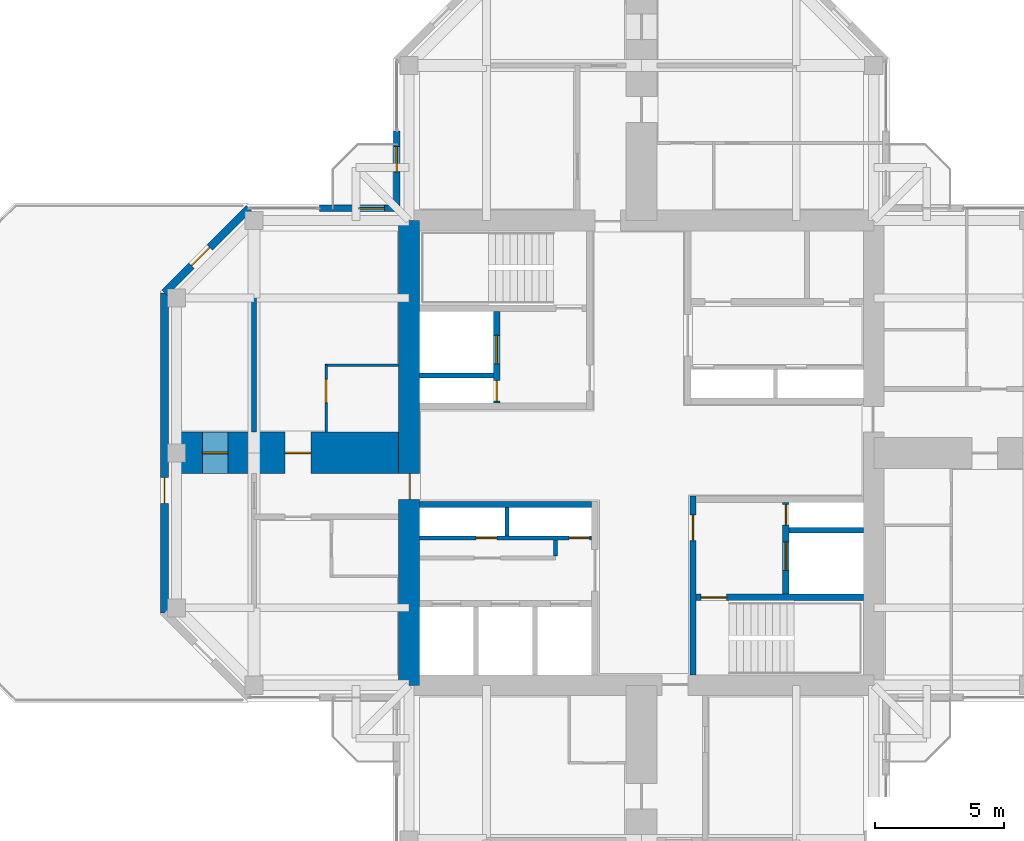
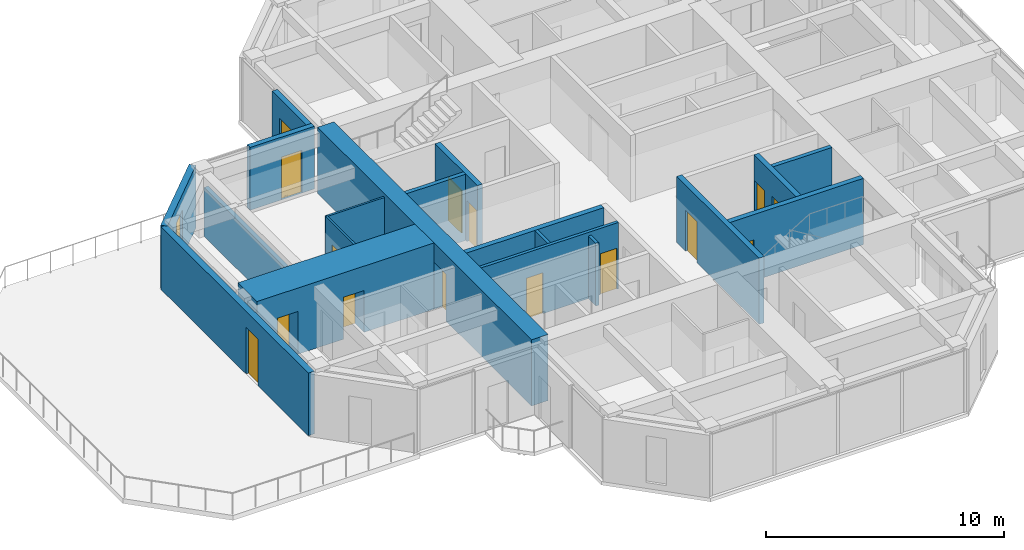
# One storey, part 9 of 14: 19 walls, 16 doors, 16 openings.
"""IFC4 building model written with IfcOpenShell, lengths in metres."""

from ifc_helpers import new_model, si_unit, direction, frame, frame_2d, origin, place, context, subcontext, project, spatial, rectangle, hollow_rectangle, extrude, material, layer, layer_set, constituent, constituent_set, type_object, element, fill, save


model = new_model("IFC4")

# Units and contexts
model_context = context("Model", 3, precision=1e-05, world=origin(), true_north=direction((0.0, 1.0)))
body_context = subcontext(model_context, "Body", "Model", "MODEL_VIEW")
ifc_project = project(units=[si_unit("LENGTHUNIT", "METRE"), si_unit("AREAUNIT", "SQUARE_METRE"), si_unit("VOLUMEUNIT", "CUBIC_METRE"), si_unit("PLANEANGLEUNIT", "RADIAN"), si_unit("MASSUNIT", "GRAM", prefix="KILO")], contexts=[model_context])

# Site, building, storey
site_placement = place(None, origin())
site = spatial("IfcSite", under=ifc_project, at=site_placement, CompositionType="ELEMENT")
building_placement = place(site_placement, origin())
building = spatial("IfcBuilding", under=site, at=building_placement, Name="Torre Cruceta", CompositionType="ELEMENT")
storey_placement = place(building_placement, frame((0.0, 0.0, 257.699951171875)))
storey = spatial("IfcBuildingStorey", under=building, at=storey_placement, Name="L66", CompositionType="ELEMENT", Elevation=257.699951171875)

# Wall
ifc_material_1 = material(Name="Water-resistant plasterboard on steel studs", Category="steel")
ifc_layer_1 = layer(ifc_material_1, 0.10009765625)
ifc_layer_set_1 = layer_set([ifc_layer_1], Name="Water-resistant plasterboard on steel studs")
wall_type_1 = type_object("IfcWallType", Name="BATHROOM WALL 100", PredefinedType="PARTITIONING", material=ifc_layer_set_1)
wall_1_placement = place(storey_placement, frame((-9.39990234375, 3.39990234375, 0.0), z_axis=(0.0, 0.0, 1.0), x_axis=(-1.0, 0.0, 0.0)))
element("IfcWall", 1, at=wall_1_placement, inside=storey, type_object=wall_type_1, Name="PT4 L66-W-U1RBB", PredefinedType="PARTITIONING", context=body_context, shape_type="SweptSolid", body=[
    extrude(rectangle(XDim=2.85009765625, YDim=0.10009765625, at=frame_2d((1.425048828125, 0.0))), origin(), (0.0, 0.0, 1.0), 3.219970703125),
])

# Wall, opening, door
wall_2_placement = place(storey_placement, frame((-12.199951171875, 3.39990234375, 0.0), z_axis=(0.0, 0.0, 1.0), x_axis=(0.0, -1.0, 0.0)))
wall_2 = element("IfcWall", 2, at=wall_2_placement, inside=storey, type_object=wall_type_1, Name="PT4 L66-W-U1RBS", PredefinedType="PARTITIONING", context=body_context, shape_type="SweptSolid", body=[
    extrude(rectangle(XDim=2.599853515625, YDim=0.10009765625, at=frame_2d((1.2998046875, 0.0))), origin(), (0.0, 0.0, 1.0), 3.219970703125),
])
opening_1_placement = place(wall_2_placement, frame((0.550048828125, 0.0, 0.0)))
opening_1 = element("IfcOpeningElement", 3, at=opening_1_placement, cuts=wall_2, Name="Opening D7", PredefinedType="OPENING", context=body_context, shape_type="SweptSolid", body=[
    extrude(rectangle(XDim=0.89990234375, YDim=2.10009765625, at=frame_2d((0.449951171875, 1.050048828125))), frame((0.0, 0.06005859375, 0.0), z_axis=(0.0, -1.0, 0.0), x_axis=(1.0, 0.0, 0.0)), (0.0, 0.0, 1.0), 0.1201171875),
])
ifc_material_2 = material(Name="Timber door", Category="wood")
door_type_1 = type_object("IfcDoorType", Name="BATHROOM DOOR 900X2100", OperationType="SINGLE_SWING_LEFT", PredefinedType="DOOR", material=ifc_material_2)
door_1_placement = place(opening_1_placement, origin())
door_1 = element("IfcDoor", 4, at=door_1_placement, inside=storey, type_object=door_type_1, Name="D7 L66-W-U1RBS-D1", OperationType="SINGLE_SWING_LEFT", OverallHeight=2.10009765625, OverallWidth=0.89990234375, PredefinedType="DOOR", context=body_context, shape_type="SweptSolid", body=[
    extrude(rectangle(XDim=0.89990234375, YDim=2.10009765625, at=frame_2d((0.449951171875, 1.050048828125))), frame((0.0, 0.02490234375, 0.0), z_axis=(0.0, -1.0, 0.0), x_axis=(1.0, 0.0, 0.0)), (0.0, 0.0, 1.0), 0.050048828125),
])
fill(opening_1, door_1)

# Wall, openings, doors
ifc_material_3 = material(Name="Concrete G60 (fck 60 MPa)", Category="concrete")
ifc_layer_2 = layer(ifc_material_3, 0.25)
ifc_layer_set_2 = layer_set([ifc_layer_2], Name="Concrete G60 (fck 60 MPa)")
wall_type_2 = type_object("IfcWallType", Name="CORE INNER WALL 250 G60", PredefinedType="SHEAR", material=ifc_layer_set_2)
wall_3_placement = place(storey_placement, frame((-5.60009765625, 1.925048828125, 0.0), z_axis=(0.0, 0.0, 1.0), x_axis=(0.0, 1.0, 0.0)))
wall_3 = element("IfcWall", 5, at=wall_3_placement, inside=storey, type_object=wall_type_2, Name="CW4 L66 NW-FU", PredefinedType="SHEAR", context=body_context, shape_type="SweptSolid", body=[
    extrude(rectangle(XDim=3.550048828125, YDim=0.25, at=frame_2d((1.77490234375, 0.0))), origin(), (0.0, 0.0, 1.0), 3.400146484375),
])
opening_2_placement = place(wall_3_placement, frame((1.52490234375, 0.0, 0.0)))
opening_2 = element("IfcOpeningElement", 6, at=opening_2_placement, cuts=wall_3, Name="Opening LD1", PredefinedType="OPENING", context=body_context, shape_type="SweptSolid", body=[
    extrude(rectangle(XDim=1.10009765625, YDim=2.199951171875, at=frame_2d((0.550048828125, 1.10009765625))), frame((0.0, 0.135009765625, 0.0), z_axis=(0.0, -1.0, 0.0), x_axis=(1.0, 0.0, 0.0)), (0.0, 0.0, 1.0), 0.27001953125),
])
opening_3_placement = place(wall_3_placement, frame((0.074951171875, 0.0, 0.0)))
opening_3 = element("IfcOpeningElement", 7, at=opening_3_placement, cuts=wall_3, Name="Opening D5", PredefinedType="OPENING", context=body_context, shape_type="SweptSolid", body=[
    extrude(rectangle(XDim=0.800048828125, YDim=2.10009765625, at=frame_2d((0.39990234375, 1.050048828125))), frame((0.0, 0.135009765625, 0.0), z_axis=(0.0, -1.0, 0.0), x_axis=(1.0, 0.0, 0.0)), (0.0, 0.0, 1.0), 0.27001953125),
])
ifc_material_4 = material(Name="Stainless steel 1.4401", Category="steel")
door_type_2 = type_object("IfcDoorType", Name="LIFT LANDING DOOR 1100X2200", OperationType="DOUBLE_DOOR_SLIDING", PredefinedType="DOOR", material=ifc_material_4)
door_2_placement = place(opening_2_placement, origin())
door_2 = element("IfcDoor", 8, at=door_2_placement, inside=storey, type_object=door_type_2, Name="Lift landing door FL1", OperationType="DOUBLE_DOOR_SLIDING", OverallHeight=2.199951171875, OverallWidth=1.10009765625, PredefinedType="DOOR", context=body_context, shape_type="SweptSolid", body=[
    extrude(rectangle(XDim=1.10009765625, YDim=2.199951171875, at=frame_2d((0.550048828125, 1.10009765625))), frame((0.0, 0.02490234375, 0.0), z_axis=(0.0, -1.0, 0.0), x_axis=(1.0, 0.0, 0.0)), (0.0, 0.0, 1.0), 0.050048828125),
])
fill(opening_2, door_2)
ifc_material_5 = material(Name="Steel DX51D", Category="steel")
ifc_constituent_1 = constituent(ifc_material_5, Name="Leaf and frame")
ifc_material_6 = material(Name="Polyester powder coating", Category="paint")
ifc_constituent_2 = constituent(ifc_material_6, Name="Finish")
ifc_constituent_set_1 = constituent_set(constituents=[ifc_constituent_1, ifc_constituent_2], Name="Steel fire door")
door_type_3 = type_object("IfcDoorType", Name="RISER ACCESS DOOR 800X2100", OperationType="SINGLE_SWING_LEFT", PredefinedType="DOOR", material=ifc_constituent_set_1)
door_3_placement = place(opening_3_placement, origin())
door_3 = element("IfcDoor", 9, at=door_3_placement, inside=storey, type_object=door_type_3, Name="D5 L66 NW-RISER", OperationType="SINGLE_SWING_LEFT", OverallHeight=2.10009765625, OverallWidth=0.800048828125, PredefinedType="DOOR", context=body_context, shape_type="SweptSolid", body=[
    extrude(rectangle(XDim=0.800048828125, YDim=2.10009765625, at=frame_2d((0.39990234375, 1.050048828125))), frame((0.0, 0.02490234375, 0.0), z_axis=(0.0, -1.0, 0.0), x_axis=(1.0, 0.0, 0.0)), (0.0, 0.0, 1.0), 0.050048828125),
])
fill(opening_3, door_3)

# Wall
wall_4_placement = place(storey_placement, frame((-1.925048828125, -2.0, 0.0), z_axis=(0.0, 0.0, 1.0), x_axis=(-1.0, 0.0, 0.0)))
element("IfcWall", 10, at=wall_4_placement, inside=storey, type_object=wall_type_2, Name="CW4 L66 SW-CV", PredefinedType="SHEAR", context=body_context, shape_type="SweptSolid", body=[
    extrude(rectangle(XDim=6.675048828125, YDim=0.25, at=frame_2d((3.33740234375, 0.0))), origin(), (0.0, 0.0, 1.0), 3.400146484375),
])

# Wall, opening, door
wall_5_placement = place(storey_placement, frame((2.0, -1.675048828125, 0.0), z_axis=(0.0, 0.0, 1.0), x_axis=(0.0, -1.0, 0.0)))
wall_5 = element("IfcWall", 11, at=wall_5_placement, inside=storey, type_object=wall_type_2, Name="CW4 L66 SE-CU", PredefinedType="SHEAR", context=body_context, shape_type="SweptSolid", body=[
    extrude(rectangle(XDim=6.925048828125, YDim=0.25, at=frame_2d((3.46240234375, 0.0))), origin(), (0.0, 0.0, 1.0), 3.400146484375),
])
opening_4_placement = place(wall_5_placement, frame((0.72509765625, 0.0, 0.0)))
opening_4 = element("IfcOpeningElement", 12, at=opening_4_placement, cuts=wall_5, Name="Opening D3", PredefinedType="OPENING", context=body_context, shape_type="SweptSolid", body=[
    extrude(rectangle(XDim=1.0, YDim=2.10009765625, at=frame_2d((0.5, 1.050048828125))), frame((0.0, 0.135009765625, 0.0), z_axis=(0.0, -1.0, 0.0), x_axis=(1.0, 0.0, 0.0)), (0.0, 0.0, 1.0), 0.27001953125),
])
ifc_material_7 = material(Name="Steel DX51D", Category="steel")
ifc_constituent_3 = constituent(ifc_material_7, Name="Leaf and frame")
ifc_material_8 = material(Name="Polyester powder coating", Category="paint")
ifc_constituent_4 = constituent(ifc_material_8, Name="Finish")
ifc_constituent_set_2 = constituent_set(constituents=[ifc_constituent_3, ifc_constituent_4], Name="Steel fire door")
door_type_4 = type_object("IfcDoorType", Name="FIRE DOOR 1000X2100", OperationType="SINGLE_SWING_LEFT", PredefinedType="DOOR", material=ifc_constituent_set_2)
door_4_placement = place(opening_4_placement, origin())
door_4 = element("IfcDoor", 13, at=door_4_placement, inside=storey, type_object=door_type_4, Name="D3 L66 SE-LOBBY", OperationType="SINGLE_SWING_LEFT", OverallHeight=2.10009765625, OverallWidth=1.0, PredefinedType="DOOR", context=body_context, shape_type="SweptSolid", body=[
    extrude(rectangle(XDim=1.0, YDim=2.10009765625, at=frame_2d((0.5, 1.050048828125))), frame((0.0, 0.02490234375, 0.0), z_axis=(0.0, -1.0, 0.0), x_axis=(1.0, 0.0, 0.0)), (0.0, 0.0, 1.0), 0.050048828125),
])
fill(opening_4, door_4)

wall_6_placement = place(storey_placement, frame((2.125, -5.60009765625, 0.0), z_axis=(0.0, 0.0, 1.0), x_axis=(1.0, 0.0, 0.0)))
wall_6 = element("IfcWall", 14, at=wall_6_placement, inside=storey, type_object=wall_type_2, Name="CW4 L66 SE-SV", PredefinedType="SHEAR", context=body_context, shape_type="SweptSolid", body=[
    extrude(rectangle(XDim=6.47509765625, YDim=0.25, at=frame_2d((3.237548828125, 0.0))), origin(), (0.0, 0.0, 1.0), 3.400146484375),
])
opening_5_placement = place(wall_6_placement, frame((0.175048828125, 0.0, 0.0)))
opening_5 = element("IfcOpeningElement", 15, at=opening_5_placement, cuts=wall_6, Name="Opening D3", PredefinedType="OPENING", context=body_context, shape_type="SweptSolid", body=[
    extrude(rectangle(XDim=1.0, YDim=2.10009765625, at=frame_2d((0.5, 1.050048828125))), frame((0.0, 0.135009765625, 0.0), z_axis=(0.0, -1.0, 0.0), x_axis=(1.0, 0.0, 0.0)), (0.0, 0.0, 1.0), 0.27001953125),
])
door_5_placement = place(opening_5_placement, frame((1.0, 0.0, 0.0), z_axis=(0.0, 0.0, 1.0), x_axis=(-1.0, 0.0, 0.0)))
door_5 = element("IfcDoor", 16, at=door_5_placement, inside=storey, type_object=door_type_4, Name="D3 L66 SE-STAIR", OperationType="SINGLE_SWING_RIGHT", OverallHeight=2.10009765625, OverallWidth=1.0, PredefinedType="DOOR", context=body_context, shape_type="SweptSolid", body=[
    extrude(rectangle(XDim=1.0, YDim=2.10009765625, at=frame_2d((0.5, 1.050048828125))), frame((0.0, 0.025146484375, 0.0), z_axis=(0.0, -1.0, 0.0), x_axis=(1.0, 0.0, 0.0)), (0.0, 0.0, 1.0), 0.050048828125),
])
fill(opening_5, door_5)

# Wall, openings, doors
wall_7_placement = place(storey_placement, frame((5.60009765625, -1.925048828125, 0.0), z_axis=(0.0, 0.0, 1.0), x_axis=(0.0, -1.0, 0.0)))
wall_7 = element("IfcWall", 17, at=wall_7_placement, inside=storey, type_object=wall_type_2, Name="CW4 L66 SE-FU", PredefinedType="SHEAR", context=body_context, shape_type="SweptSolid", body=[
    extrude(rectangle(XDim=3.550048828125, YDim=0.25, at=frame_2d((1.77490234375, 0.0))), origin(), (0.0, 0.0, 1.0), 3.400146484375),
])
opening_6_placement = place(wall_7_placement, frame((1.52490234375, 0.0, 0.0)))
opening_6 = element("IfcOpeningElement", 18, at=opening_6_placement, cuts=wall_7, Name="Opening LD1", PredefinedType="OPENING", context=body_context, shape_type="SweptSolid", body=[
    extrude(rectangle(XDim=1.10009765625, YDim=2.199951171875, at=frame_2d((0.550048828125, 1.10009765625))), frame((0.0, 0.135009765625, 0.0), z_axis=(0.0, -1.0, 0.0), x_axis=(1.0, 0.0, 0.0)), (0.0, 0.0, 1.0), 0.27001953125),
])
opening_7_placement = place(wall_7_placement, frame((0.074951171875, 0.0, 0.0)))
opening_7 = element("IfcOpeningElement", 19, at=opening_7_placement, cuts=wall_7, Name="Opening D5", PredefinedType="OPENING", context=body_context, shape_type="SweptSolid", body=[
    extrude(rectangle(XDim=0.800048828125, YDim=2.10009765625, at=frame_2d((0.39990234375, 1.050048828125))), frame((0.0, 0.135009765625, 0.0), z_axis=(0.0, -1.0, 0.0), x_axis=(1.0, 0.0, 0.0)), (0.0, 0.0, 1.0), 0.27001953125),
])
door_6_placement = place(opening_6_placement, origin())
door_6 = element("IfcDoor", 20, at=door_6_placement, inside=storey, type_object=door_type_2, Name="Lift landing door FL2", OperationType="DOUBLE_DOOR_SLIDING", OverallHeight=2.199951171875, OverallWidth=1.10009765625, PredefinedType="DOOR", context=body_context, shape_type="SweptSolid", body=[
    extrude(rectangle(XDim=1.10009765625, YDim=2.199951171875, at=frame_2d((0.550048828125, 1.10009765625))), frame((0.0, 0.02490234375, 0.0), z_axis=(0.0, -1.0, 0.0), x_axis=(1.0, 0.0, 0.0)), (0.0, 0.0, 1.0), 0.050048828125),
])
fill(opening_6, door_6)
door_7_placement = place(opening_7_placement, origin())
door_7 = element("IfcDoor", 21, at=door_7_placement, inside=storey, type_object=door_type_3, Name="D5 L66 SE-RISER", OperationType="SINGLE_SWING_LEFT", OverallHeight=2.10009765625, OverallWidth=0.800048828125, PredefinedType="DOOR", context=body_context, shape_type="SweptSolid", body=[
    extrude(rectangle(XDim=0.800048828125, YDim=2.10009765625, at=frame_2d((0.39990234375, 1.050048828125))), frame((0.0, 0.02490234375, 0.0), z_axis=(0.0, -1.0, 0.0), x_axis=(1.0, 0.0, 0.0)), (0.0, 0.0, 1.0), 0.050048828125),
])
fill(opening_7, door_7)

# Wall, opening, door
ifc_material_9 = material(Name="Concrete G60 (fck 60 MPa)", Category="concrete")
ifc_layer_3 = layer(ifc_material_9, 0.800048828125)
ifc_layer_set_3 = layer_set([ifc_layer_3], Name="Concrete G60 (fck 60 MPa)")
wall_type_3 = type_object("IfcWallType", Name="CORE WALL 800 G60", PredefinedType="SHEAR", material=ifc_layer_set_3)
wall_8_placement = place(storey_placement, frame((-9.0, 9.0, 0.0), z_axis=(0.0, 0.0, 1.0), x_axis=(0.0, -1.0, 0.0)))
wall_8 = element("IfcWall", 22, at=wall_8_placement, inside=storey, type_object=wall_type_3, Name="CW3 L66 CW-W", PredefinedType="SHEAR", context=body_context, shape_type="SweptSolid", body=[
    extrude(rectangle(XDim=18.0, YDim=0.800048828125, at=frame_2d((9.0, 0.0))), origin(), (0.0, 0.0, 1.0), 3.400146484375),
])
opening_8_placement = place(wall_8_placement, frame((9.800048828125, 0.0, 0.0)))
opening_8 = element("IfcOpeningElement", 23, at=opening_8_placement, cuts=wall_8, Name="Opening D4", PredefinedType="OPENING", context=body_context, shape_type="SweptSolid", body=[
    extrude(rectangle(XDim=1.0, YDim=2.39990234375, at=frame_2d((0.5, 1.199951171875))), frame((0.0, 0.409912109375, 0.0), z_axis=(0.0, -1.0, 0.0), x_axis=(1.0, 0.0, 0.0)), (0.0, 0.0, 1.0), 0.820068359375),
])
ifc_material_10 = material(Name="Steel DX51D", Category="steel")
ifc_constituent_5 = constituent(ifc_material_10, Name="Leaf and frame")
ifc_material_11 = material(Name="Polyester powder coating", Category="paint")
ifc_constituent_6 = constituent(ifc_material_11, Name="Finish")
ifc_constituent_set_3 = constituent_set(constituents=[ifc_constituent_5, ifc_constituent_6], Name="Steel fire door")
door_type_5 = type_object("IfcDoorType", Name="CORE ARM DOOR 1000X2400", OperationType="SINGLE_SWING_RIGHT", PredefinedType="DOOR", material=ifc_constituent_set_3)
door_8_placement = place(opening_8_placement, origin())
door_8 = element("IfcDoor", 24, at=door_8_placement, inside=storey, type_object=door_type_5, Name="D4 L66 CW-W", OperationType="SINGLE_SWING_RIGHT", OverallHeight=2.39990234375, OverallWidth=1.0, PredefinedType="DOOR", context=body_context, shape_type="SweptSolid", body=[
    extrude(rectangle(XDim=1.0, YDim=2.39990234375, at=frame_2d((0.5, 1.199951171875))), frame((0.0, 0.05517578125, 0.0), z_axis=(0.0, -1.0, 0.0), x_axis=(1.0, 0.0, 0.0)), (0.0, 0.0, 1.0), 0.050048828125),
])
fill(opening_8, door_8)

ifc_material_12 = material(Name="Concrete G30 (fck 30 MPa)", Category="concrete")
ifc_layer_4 = layer(ifc_material_12, 0.300048828125)
ifc_layer_set_4 = layer_set([ifc_layer_4], Name="Concrete G30 (fck 30 MPa)")
wall_type_4 = type_object("IfcWallType", Name="EXPOSED CONCRETE FACADE WALL 300", PredefinedType="SOLIDWALL", material=ifc_layer_set_4)
wall_9_placement = place(storey_placement, frame((-15.194580078125, 9.469970703125, 0.0), z_axis=(0.0, 0.0, 1.0), x_axis=(-0.707106781187, -0.707106781187, 0.0)))
wall_9 = element("IfcWall", 25, at=wall_9_placement, inside=storey, type_object=wall_type_4, Name="EW1 facade wall L66 W chamfer 11", PredefinedType="SOLIDWALL", context=body_context, shape_type="SweptSolid", body=[
    extrude(rectangle(XDim=4.632080078125, YDim=0.300048828125, at=frame_2d((2.31591796875, 0.0))), origin(), (0.0, 0.0, 1.0), 3.219970703125),
])
opening_9_placement = place(wall_9_placement, frame((2.14990234375, 0.0, 0.0)))
opening_9 = element("IfcOpeningElement", 26, at=opening_9_placement, cuts=wall_9, Name="Opening D11", PredefinedType="OPENING", context=body_context, shape_type="SweptSolid", body=[
    extrude(rectangle(XDim=1.0, YDim=2.39990234375, at=frame_2d((0.5, 1.199951171875))), frame((0.0, 0.159912109375, 0.0), z_axis=(0.0, -1.0, 0.0), x_axis=(1.0, 0.0, 0.0)), (0.0, 0.0, 1.0), 0.320068359375),
])
ifc_material_13 = material(Name="Aluminium door frame", Category="aluminium")
ifc_constituent_7 = constituent(ifc_material_13, Name="Frame")
ifc_material_14 = material(Name="Laminated safety glass", Category="glass")
ifc_constituent_8 = constituent(ifc_material_14, Name="Glazing")
ifc_constituent_set_4 = constituent_set(constituents=[ifc_constituent_7, ifc_constituent_8], Name="Aluminium glazed door")
door_type_6 = type_object("IfcDoorType", Name="TERRACE DOOR 1000X2400", OperationType="SINGLE_SWING_LEFT", PredefinedType="DOOR", material=ifc_constituent_set_4)
door_9_placement = place(opening_9_placement, origin())
door_9 = element("IfcDoor", 27, at=door_9_placement, inside=storey, type_object=door_type_6, Name="D11 terrace door L66 W", OperationType="SINGLE_SWING_RIGHT", OverallHeight=2.39990234375, OverallWidth=1.0, PredefinedType="DOOR", context=body_context, shape_type="SweptSolid", body=[
    extrude(hollow_rectangle(XDim=1.0, YDim=2.39990234375, WallThickness=0.06005859375, at=frame_2d((0.5, 1.199951171875))), frame((0.0, 0.02490234375, 0.0), z_axis=(0.0, -1.0, 0.0), x_axis=(1.0, 0.0, 0.0)), (0.0, 0.0, 1.0), 0.050048828125),
    extrude(rectangle(XDim=0.87890625, YDim=2.27880859375, at=frame_2d((0.5, 1.199951171875))), frame((0.0, 0.02490234375, 0.0), z_axis=(0.0, -1.0, 0.0), x_axis=(1.0, 0.0, 0.0)), (0.0, 0.0, 1.0), 0.050048828125),
])
fill(opening_9, door_9)

wall_10_placement = place(storey_placement, frame((-18.469970703125, 6.194580078125, 0.0), z_axis=(0.0, 0.0, 1.0), x_axis=(0.0, -1.0, 0.0)))
wall_10 = element("IfcWall", 28, at=wall_10_placement, inside=storey, type_object=wall_type_4, Name="EW1 facade wall L66 W tip 12", PredefinedType="SOLIDWALL", context=body_context, shape_type="SweptSolid", body=[
    extrude(rectangle(XDim=12.38916015625, YDim=0.300048828125, at=frame_2d((6.194580078125, 0.0))), origin(), (0.0, 0.0, 1.0), 3.219970703125),
])
opening_10_placement = place(wall_10_placement, frame((7.14990234375, 0.0, 0.0)))
opening_10 = element("IfcOpeningElement", 29, at=opening_10_placement, cuts=wall_10, Name="Opening D11", PredefinedType="OPENING", context=body_context, shape_type="SweptSolid", body=[
    extrude(rectangle(XDim=1.0, YDim=2.39990234375, at=frame_2d((0.5, 1.199951171875))), frame((0.0, 0.159912109375, 0.0), z_axis=(0.0, -1.0, 0.0), x_axis=(1.0, 0.0, 0.0)), (0.0, 0.0, 1.0), 0.320068359375),
])
door_10_placement = place(opening_10_placement, origin())
door_10 = element("IfcDoor", 30, at=door_10_placement, inside=storey, type_object=door_type_6, Name="D11 terrace door L66 W", OperationType="SINGLE_SWING_RIGHT", OverallHeight=2.39990234375, OverallWidth=1.0, PredefinedType="DOOR", context=body_context, shape_type="SweptSolid", body=[
    extrude(hollow_rectangle(XDim=1.0, YDim=2.39990234375, WallThickness=0.06005859375, at=frame_2d((0.5, 1.199951171875))), frame((0.0, 0.02490234375, 0.0), z_axis=(0.0, -1.0, 0.0), x_axis=(1.0, 0.0, 0.0)), (0.0, 0.0, 1.0), 0.050048828125),
    extrude(rectangle(XDim=0.87890625, YDim=2.27880859375, at=frame_2d((0.5, 1.199951171875))), frame((0.0, 0.02490234375, 0.0), z_axis=(0.0, -1.0, 0.0), x_axis=(1.0, 0.0, 0.0)), (0.0, 0.0, 1.0), 0.050048828125),
])
fill(opening_10, door_10)

# Walls
ifc_material_15 = material(Name="Concrete G35 (fck 35 MPa)", Category="concrete")
ifc_layer_5 = layer(ifc_material_15, 0.199951171875)
ifc_layer_set_5 = layer_set([ifc_layer_5], Name="Concrete G35 (fck 35 MPa)")
wall_type_5 = type_object("IfcWallType", Name="LIFT SHAFT WALL 200", PredefinedType="PARTITIONING", material=ifc_layer_set_5)
for number, where, z_axis, x_axis, name in (
    (31, (-5.72509765625, 3.0, 0.0), (0.0, 0.0, 1.0), (-1.0, 0.0, 0.0), "SW1 L66 NW-FR"),
    (32, (5.72509765625, -3.0, 0.0), (0.0, 0.0, 1.0), (1.0, 0.0, 0.0), "SW1 L66 SE-FR"),
):
    element("IfcWall", number, at=place(storey_placement, frame(where, z_axis=z_axis, x_axis=x_axis)), inside=storey, type_object=wall_type_5, Name=name, PredefinedType="PARTITIONING", context=body_context, shape_type="SweptSolid", body=[
        extrude(rectangle(XDim=2.875, YDim=0.199951171875, at=frame_2d((1.4375, 0.0))), origin(), (0.0, 0.0, 1.0), 3.400146484375),
    ])
ifc_material_16 = material(Name="Plasterboard on steel studs", Category="steel")
ifc_layer_6 = layer(ifc_material_16, 0.14990234375)
ifc_layer_set_6 = layer_set([ifc_layer_6], Name="Plasterboard on steel studs")
wall_type_6 = type_object("IfcWallType", Name="PARTITION 150", PredefinedType="PARTITIONING", material=ifc_layer_set_6)
wall_11_placement = place(storey_placement, frame((-3.324951171875, -3.375, 0.0), z_axis=(0.0, 0.0, 1.0), x_axis=(0.0, -1.0, 0.0)))
element("IfcWall", 33, at=wall_11_placement, inside=storey, type_object=wall_type_6, Name="PT1 L66-CORE-SW-CUPBOARDE", PredefinedType="PARTITIONING", context=body_context, shape_type="SweptSolid", body=[
    extrude(rectangle(XDim=0.625, YDim=0.14990234375, at=frame_2d((0.3125, 0.0))), origin(), (0.0, 0.0, 1.0), 3.219970703125),
])

# Wall, openings, doors
ifc_material_17 = material(Name="Concrete block masonry", Category="masonry")
ifc_layer_7 = layer(ifc_material_17, 0.14990234375)
ifc_layer_set_7 = layer_set([ifc_layer_7], Name="Concrete block masonry")
wall_type_7 = type_object("IfcWallType", Name="RISER WALL 150", PredefinedType="PARTITIONING", material=ifc_layer_set_7)
wall_12_placement = place(storey_placement, frame((-1.925048828125, -3.300048828125, 0.0), z_axis=(0.0, 0.0, 1.0), x_axis=(-1.0, 0.0, 0.0)))
wall_12 = element("IfcWall", 34, at=wall_12_placement, inside=storey, type_object=wall_type_7, Name="SW7 L66 SW-RV", PredefinedType="PARTITIONING", context=body_context, shape_type="SweptSolid", body=[
    extrude(rectangle(XDim=6.675048828125, YDim=0.14990234375, at=frame_2d((3.33740234375, 0.0))), origin(), (0.0, 0.0, 1.0), 3.400146484375),
])
opening_11_placement = place(wall_12_placement, frame((0.074951171875, 0.0, 0.0)))
opening_11 = element("IfcOpeningElement", 35, at=opening_11_placement, cuts=wall_12, Name="Opening D5", PredefinedType="OPENING", context=body_context, shape_type="SweptSolid", body=[
    extrude(rectangle(XDim=0.800048828125, YDim=2.10009765625, at=frame_2d((0.39990234375, 1.050048828125))), frame((0.0, 0.0849609375, 0.0), z_axis=(0.0, -1.0, 0.0), x_axis=(1.0, 0.0, 0.0)), (0.0, 0.0, 1.0), 0.169921875),
])
opening_12_placement = place(wall_12_placement, frame((3.675048828125, 0.0, 0.0)))
opening_12 = element("IfcOpeningElement", 36, at=opening_12_placement, cuts=wall_12, Name="Opening D5", PredefinedType="OPENING", context=body_context, shape_type="SweptSolid", body=[
    extrude(rectangle(XDim=0.800048828125, YDim=2.10009765625, at=frame_2d((0.39990234375, 1.050048828125))), frame((0.0, 0.0849609375, 0.0), z_axis=(0.0, -1.0, 0.0), x_axis=(1.0, 0.0, 0.0)), (0.0, 0.0, 1.0), 0.169921875),
])
door_11_placement = place(opening_11_placement, frame((0.800048828125, 0.0, 0.0), z_axis=(0.0, 0.0, 1.0), x_axis=(-1.0, 0.0, 0.0)))
door_11 = element("IfcDoor", 37, at=door_11_placement, inside=storey, type_object=door_type_3, Name="D5 L66 SW-RISER1", OperationType="SINGLE_SWING_RIGHT", OverallHeight=2.10009765625, OverallWidth=0.800048828125, PredefinedType="DOOR", context=body_context, shape_type="SweptSolid", body=[
    extrude(rectangle(XDim=0.800048828125, YDim=2.10009765625, at=frame_2d((0.400146484375, 1.050048828125))), frame((0.0, 0.025146484375, 0.0), z_axis=(0.0, -1.0, 0.0), x_axis=(1.0, 0.0, 0.0)), (0.0, 0.0, 1.0), 0.050048828125),
])
fill(opening_11, door_11)
door_12_placement = place(opening_12_placement, frame((0.800048828125, 0.0, 0.0), z_axis=(0.0, 0.0, 1.0), x_axis=(-1.0, 0.0, 0.0)))
door_12 = element("IfcDoor", 38, at=door_12_placement, inside=storey, type_object=door_type_3, Name="D5 L66 SW-RISER2", OperationType="SINGLE_SWING_RIGHT", OverallHeight=2.10009765625, OverallWidth=0.800048828125, PredefinedType="DOOR", context=body_context, shape_type="SweptSolid", body=[
    extrude(rectangle(XDim=0.800048828125, YDim=2.10009765625, at=frame_2d((0.400146484375, 1.050048828125))), frame((0.0, 0.025146484375, 0.0), z_axis=(0.0, -1.0, 0.0), x_axis=(1.0, 0.0, 0.0)), (0.0, 0.0, 1.0), 0.050048828125),
])
fill(opening_12, door_12)

# Wall
wall_13_placement = place(storey_placement, frame((-5.199951171875, -2.125, 0.0), z_axis=(0.0, 0.0, 1.0), x_axis=(0.0, -1.0, 0.0)))
element("IfcWall", 39, at=wall_13_placement, inside=storey, type_object=wall_type_7, Name="SW7 L66 SW-RU", PredefinedType="PARTITIONING", context=body_context, shape_type="SweptSolid", body=[
    extrude(rectangle(XDim=1.10009765625, YDim=0.14990234375, at=frame_2d((0.550048828125, 0.0))), origin(), (0.0, 0.0, 1.0), 3.400146484375),
])

# Wall, openings, doors
ifc_material_18 = material(Name="Concrete G60 (fck 60 MPa)", Category="concrete")
ifc_layer_8 = layer(ifc_material_18, 1.60009765625)
ifc_layer_set_8 = layer_set([ifc_layer_8], Name="Concrete G60 (fck 60 MPa)")
wall_type_8 = type_object("IfcWallType", Name="SPINE WALL 1600 G60", PredefinedType="SHEAR", material=ifc_layer_set_8)
wall_14_placement = place(storey_placement, frame((-9.0, 0.0, 0.0), z_axis=(0.0, 0.0, 1.0), x_axis=(-1.0, 0.0, 0.0)))
wall_14 = element("IfcWall", 40, at=wall_14_placement, inside=storey, type_object=wall_type_8, Name="SW2 spine wall L66 W", PredefinedType="SHEAR", context=body_context, shape_type="SweptSolid", body=[
    extrude(rectangle(XDim=9.0, YDim=1.60009765625, at=frame_2d((4.5, 0.0))), origin(), (0.0, 0.0, 1.0), 3.400146484375),
])
opening_13_placement = place(wall_14_placement, frame((3.800048828125, 0.0, 0.0)))
opening_13 = element("IfcOpeningElement", 41, at=opening_13_placement, cuts=wall_14, Name="Opening D6", PredefinedType="OPENING", context=body_context, shape_type="SweptSolid", body=[
    extrude(rectangle(XDim=1.0, YDim=2.14990234375, at=frame_2d((0.5, 1.074951171875))), frame((0.0, 0.81005859375, 0.0), z_axis=(0.0, -1.0, 0.0), x_axis=(1.0, 0.0, 0.0)), (0.0, 0.0, 1.0), 1.6201171875),
])
opening_14_placement = place(wall_14_placement, frame((7.0, 0.0, 0.0)))
opening_14 = element("IfcOpeningElement", 42, at=opening_14_placement, cuts=wall_14, Name="Opening D14", PredefinedType="OPENING", context=body_context, shape_type="SweptSolid", body=[
    extrude(rectangle(XDim=1.0, YDim=2.199951171875, at=frame_2d((0.5, 1.10009765625))), frame((0.0, 0.81005859375, 0.0), z_axis=(0.0, -1.0, 0.0), x_axis=(1.0, 0.0, 0.0)), (0.0, 0.0, 1.0), 1.6201171875),
])
ifc_material_19 = material(Name="Steel DX51D", Category="steel")
ifc_constituent_9 = constituent(ifc_material_19, Name="Leaf and frame")
ifc_material_20 = material(Name="Polyester powder coating", Category="paint")
ifc_constituent_10 = constituent(ifc_material_20, Name="Finish")
ifc_material_21 = material(Name="Fire-resisting glass", Category="glass")
ifc_constituent_11 = constituent(ifc_material_21, Name="Vision panel")
ifc_constituent_set_5 = constituent_set(constituents=[ifc_constituent_9, ifc_constituent_10, ifc_constituent_11], Name="Steel fire door with vision panel")
door_type_7 = type_object("IfcDoorType", Name="FIRE DOOR VISION PANEL 1000X2200", OperationType="SINGLE_SWING_RIGHT", PredefinedType="DOOR", material=ifc_constituent_set_5)
door_13_placement = place(opening_14_placement, origin())
door_13 = element("IfcDoor", 43, at=door_13_placement, inside=storey, type_object=door_type_7, Name="D14 L66-W-SP2", OperationType="SINGLE_SWING_LEFT", OverallHeight=2.199951171875, OverallWidth=1.0, PredefinedType="DOOR", context=body_context, shape_type="SweptSolid", body=[
    extrude(rectangle(XDim=1.0, YDim=2.199951171875, at=frame_2d((0.5, 1.10009765625))), frame((0.0, 0.02490234375, 0.0), z_axis=(0.0, -1.0, 0.0), x_axis=(1.0, 0.0, 0.0)), (0.0, 0.0, 1.0), 0.050048828125),
])
fill(opening_14, door_13)
ifc_material_22 = material(Name="Timber fire door", Category="wood")
door_type_8 = type_object("IfcDoorType", Name="UNIT ENTRANCE DOOR 1000X2150", OperationType="SINGLE_SWING_LEFT", PredefinedType="DOOR", material=ifc_material_22)
door_14_placement = place(opening_13_placement, frame((1.0, 0.0, 0.0), z_axis=(0.0, 0.0, 1.0), x_axis=(-1.0, 0.0, 0.0)))
door_14 = element("IfcDoor", 44, at=door_14_placement, inside=storey, type_object=door_type_8, Name="D6 L66-W-SP1", OperationType="SINGLE_SWING_RIGHT", OverallHeight=2.14990234375, OverallWidth=1.0, PredefinedType="DOOR", context=body_context, shape_type="SweptSolid", body=[
    extrude(rectangle(XDim=1.0, YDim=2.14990234375, at=frame_2d((0.5, 1.074951171875))), frame((0.0, 0.025146484375, 0.0), z_axis=(0.0, -1.0, 0.0), x_axis=(1.0, 0.0, 0.0)), (0.0, 0.0, 1.0), 0.050048828125),
])
fill(opening_13, door_14)

# Wall
ifc_material_23 = material(Name="Concrete G25 (fck 25 MPa)", Category="concrete")
ifc_layer_9 = layer(ifc_material_23, 0.199951171875)
ifc_layer_set_9 = layer_set([ifc_layer_9], Name="Concrete G25 (fck 25 MPa)")
wall_type_9 = type_object("IfcWallType", Name="UNIT SEPARATING WALL 200", PredefinedType="SOLIDWALL", material=ifc_layer_set_9)
wall_15_placement = place(storey_placement, frame((-15.0, 8.64990234375, 0.0), z_axis=(0.0, 0.0, 1.0), x_axis=(0.0, -1.0, 0.0)))
element("IfcWall", 45, at=wall_15_placement, inside=storey, type_object=wall_type_9, Name="PT2 L66-W-ENDa", PredefinedType="SOLIDWALL", context=body_context, shape_type="SweptSolid", body=[
    extrude(rectangle(XDim=7.849853515625, YDim=0.199951171875, at=frame_2d((3.9248046875, 0.0))), origin(), (0.0, 0.0, 1.0), 2.52001953125),
])

# Wall, opening, door
ifc_material_24 = material(Name="Concrete G30 (fck 30 MPa)", Category="concrete")
ifc_layer_10 = layer(ifc_material_24, 0.25)
ifc_layer_set_10 = layer_set([ifc_layer_10], Name="Concrete G30 (fck 30 MPa)")
wall_type_10 = type_object("IfcWallType", Name="WINTER GARDEN WALL 250", PredefinedType="SOLIDWALL", material=ifc_layer_set_10)
wall_16_placement = place(storey_placement, frame((-9.469970703125, 12.469970703125, 0.0), z_axis=(0.0, 0.0, 1.0), x_axis=(0.0, -1.0, 0.0)))
wall_16 = element("IfcWall", 46, at=wall_16_placement, inside=storey, type_object=wall_type_10, Name="EW2 winter garden wall L66 09", PredefinedType="SOLIDWALL", context=body_context, shape_type="SweptSolid", body=[
    extrude(rectangle(XDim=2.875, YDim=0.25, at=frame_2d((1.4375, 0.0))), origin(), (0.0, 0.0, 1.0), 3.219970703125),
])
opening_15_placement = place(wall_16_placement, frame((0.60009765625, 0.0, 0.0)))
opening_15 = element("IfcOpeningElement", 47, at=opening_15_placement, cuts=wall_16, Name="Opening D10", PredefinedType="OPENING", context=body_context, shape_type="SweptSolid", body=[
    extrude(rectangle(XDim=1.0, YDim=2.199951171875, at=frame_2d((0.5, 1.10009765625))), frame((0.0, 0.135009765625, 0.0), z_axis=(0.0, -1.0, 0.0), x_axis=(1.0, 0.0, 0.0)), (0.0, 0.0, 1.0), 0.27001953125),
])
ifc_material_25 = material(Name="Aluminium door frame", Category="aluminium")
ifc_constituent_12 = constituent(ifc_material_25, Name="Frame")
ifc_material_26 = material(Name="Laminated safety glass", Category="glass")
ifc_constituent_13 = constituent(ifc_material_26, Name="Glazing")
ifc_constituent_set_6 = constituent_set(constituents=[ifc_constituent_12, ifc_constituent_13], Name="Aluminium glazed door")
door_type_9 = type_object("IfcDoorType", Name="BALCONY DOOR 1000X2200", OperationType="SINGLE_SWING_RIGHT", PredefinedType="DOOR", material=ifc_constituent_set_6)
door_15_placement = place(opening_15_placement, origin())
door_15 = element("IfcDoor", 48, at=door_15_placement, inside=storey, type_object=door_type_9, Name="D10 balcony door L66 09", OperationType="SINGLE_SWING_RIGHT", OverallHeight=2.199951171875, OverallWidth=1.0, PredefinedType="DOOR", context=body_context, shape_type="SweptSolid", body=[
    extrude(hollow_rectangle(XDim=1.0, YDim=2.199951171875, WallThickness=0.06005859375, at=frame_2d((0.5, 1.10009765625))), frame((0.0, 0.02490234375, 0.0), z_axis=(0.0, -1.0, 0.0), x_axis=(1.0, 0.0, 0.0)), (0.0, 0.0, 1.0), 0.050048828125),
    extrude(rectangle(XDim=0.87890625, YDim=2.078857421875, at=frame_2d((0.5, 1.10009765625))), frame((0.0, 0.02490234375, 0.0), z_axis=(0.0, -1.0, 0.0), x_axis=(1.0, 0.0, 0.0)), (0.0, 0.0, 1.0), 0.050048828125),
])
fill(opening_15, door_15)

wall_17_placement = place(storey_placement, frame((-9.344970703125, 9.469970703125, 0.0), z_axis=(0.0, 0.0, 1.0), x_axis=(-1.0, 0.0, 0.0)))
wall_17 = element("IfcWall", 49, at=wall_17_placement, inside=storey, type_object=wall_type_10, Name="EW2 winter garden wall L66 10", PredefinedType="SOLIDWALL", context=body_context, shape_type="SweptSolid", body=[
    extrude(rectangle(XDim=3.125, YDim=0.25, at=frame_2d((1.5625, 0.0))), origin(), (0.0, 0.0, 1.0), 3.219970703125),
])
opening_16_placement = place(wall_17_placement, frame((0.60009765625, 0.0, 0.0)))
opening_16 = element("IfcOpeningElement", 50, at=opening_16_placement, cuts=wall_17, Name="Opening D10", PredefinedType="OPENING", context=body_context, shape_type="SweptSolid", body=[
    extrude(rectangle(XDim=1.0, YDim=2.199951171875, at=frame_2d((0.5, 1.10009765625))), frame((0.0, 0.135009765625, 0.0), z_axis=(0.0, -1.0, 0.0), x_axis=(1.0, 0.0, 0.0)), (0.0, 0.0, 1.0), 0.27001953125),
])
door_16_placement = place(opening_16_placement, origin())
door_16 = element("IfcDoor", 51, at=door_16_placement, inside=storey, type_object=door_type_9, Name="D10 balcony door L66 10", OperationType="SINGLE_SWING_LEFT", OverallHeight=2.199951171875, OverallWidth=1.0, PredefinedType="DOOR", context=body_context, shape_type="SweptSolid", body=[
    extrude(hollow_rectangle(XDim=1.0, YDim=2.199951171875, WallThickness=0.06005859375, at=frame_2d((0.5, 1.10009765625))), frame((0.0, 0.02490234375, 0.0), z_axis=(0.0, -1.0, 0.0), x_axis=(1.0, 0.0, 0.0)), (0.0, 0.0, 1.0), 0.050048828125),
    extrude(rectangle(XDim=0.87890625, YDim=2.078857421875, at=frame_2d((0.5, 1.10009765625))), frame((0.0, 0.02490234375, 0.0), z_axis=(0.0, -1.0, 0.0), x_axis=(1.0, 0.0, 0.0)), (0.0, 0.0, 1.0), 0.050048828125),
])
fill(opening_16, door_16)

save(model, "model.ifc")
